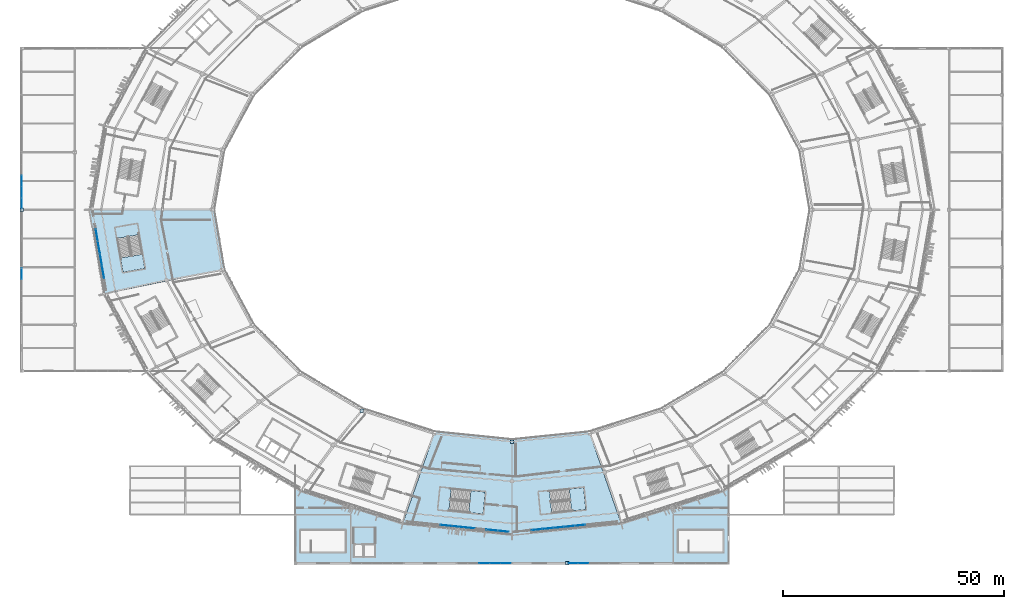
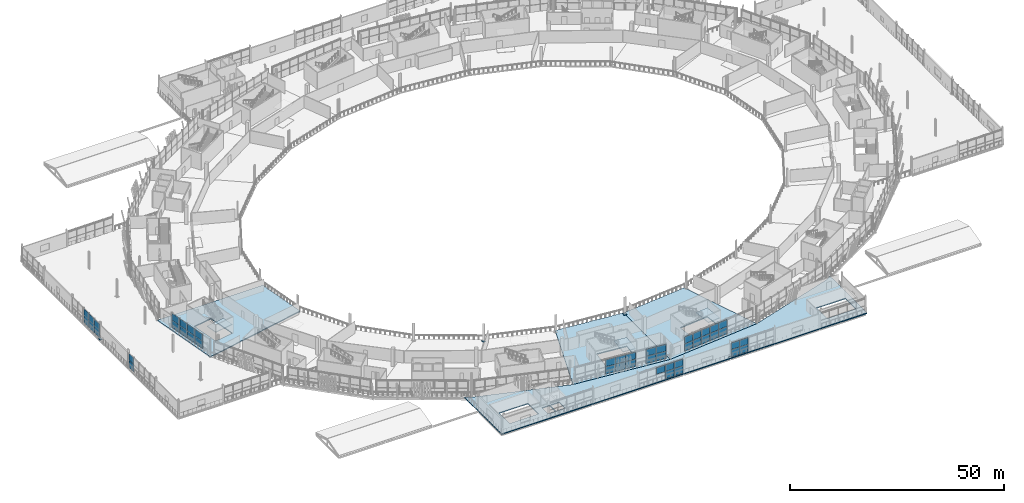
# One storey, part 93 of 179: 49 plates, 7 slabs, 10 elements without a shape of their own.
"""IFC4 building model written with IfcOpenShell, lengths in metres."""

from ifc_helpers import new_model, si_unit, direction, frame, origin, origin_2d, place, context, subcontext, project, spatial, polyline, rectangle, outline, extrude, material, layer, layer_set, type_object, element, aggregate, save


model = new_model("IFC4")

# Units and contexts
model_context = context("Model", 3, precision=1e-05, world=origin(), true_north=direction((0.0, 1.0)))
body_context = subcontext(model_context, "Body", "Model", "MODEL_VIEW")
ifc_project = project(units=[si_unit("LENGTHUNIT", "METRE"), si_unit("AREAUNIT", "SQUARE_METRE"), si_unit("VOLUMEUNIT", "CUBIC_METRE"), si_unit("PLANEANGLEUNIT", "RADIAN"), si_unit("MASSUNIT", "GRAM", prefix="KILO")], contexts=[model_context])

# Site, building, storey
site_placement = place(None, origin())
site = spatial("IfcSite", under=ifc_project, at=site_placement, CompositionType="ELEMENT")
building_placement = place(site_placement, origin())
building = spatial("IfcBuilding", under=site, at=building_placement, Name="Zlatoyarsky Gate Stadium", CompositionType="ELEMENT")
storey_placement = place(building_placement, frame((0.0, 0.0, 10.60009765625)))
storey = spatial("IfcBuildingStorey", under=building, at=storey_placement, Name="L02", CompositionType="ELEMENT", Elevation=10.60009765625)

# Curtain wall, plates
ifc_material_1 = material(Name="Thermally broken anodised aluminium curtain wall", Category="aluminium")
curtain_wall_type_1 = type_object("IfcCurtainWallType", Name="MONUMENTAL ARCHED GATE GLAZING UPPER", PredefinedType="USERDEFINED", material=ifc_material_1)
curtain_wall_1_placement = place(storey_placement, origin())
curtain_wall_1 = element("IfcCurtainWall", 1, at=curtain_wall_1_placement, inside=storey, type_object=curtain_wall_type_1, Name="Curtain wall CW-L02-12", ObjectType="ARCHED GATE GLAZING", PredefinedType="USERDEFINED")
ifc_material_2 = material(Name="Triple-glazed argon low-e architectural glass", Category="glass")
ifc_layer_1 = layer(ifc_material_2, 0.0458984375)
ifc_layer_set_1 = layer_set([ifc_layer_1], Name="Triple-glazed argon low-e architectural glass")
plate_type_1 = type_object("IfcPlateType", Name="ACOUSTIC LAMINATED GATE GLAZING PANEL 46", PredefinedType="CURTAIN_PANEL", material=ifc_layer_set_1)
plate_1_placement = place(storey_placement, frame((17.016357421875, 74.209228515625, 0.074951171875), z_axis=(0.0, 0.0, 1.0), x_axis=(0.168878353177, -0.985636901617, 0.0)))
plate_1 = element("IfcPlate", 2, at=plate_1_placement, type_object=plate_type_1, Name="CW-AG2 panel 1.1", PredefinedType="CURTAIN_PANEL", context=body_context, shape_type="SweptSolid", body=[
    extrude(rectangle(XDim=2.699951171875, YDim=0.0458984375, at=origin_2d()), origin(), (0.0, 0.0, 1.0), 2.03759765625),
])
plate_2_placement = place(storey_placement, frame((17.016357421875, 74.209228515625, 2.1875), z_axis=(0.0, 0.0, 1.0), x_axis=(0.168878353177, -0.985636901617, 0.0)))
plate_2 = element("IfcPlate", 3, at=plate_2_placement, type_object=plate_type_1, Name="CW-AG2 panel 1.2", PredefinedType="CURTAIN_PANEL", context=body_context, shape_type="SweptSolid", body=[
    extrude(rectangle(XDim=2.699951171875, YDim=0.0458984375, at=origin_2d()), origin(), (0.0, 0.0, 1.0), 1.9375),
])
plate_3_placement = place(storey_placement, frame((17.488037109375, 71.45556640625, 0.074951171875), z_axis=(0.0, 0.0, 1.0), x_axis=(0.168878353177, -0.985636901617, 0.0)))
plate_3 = element("IfcPlate", 4, at=plate_3_placement, type_object=plate_type_1, Name="CW-AG2 panel 2.1", PredefinedType="CURTAIN_PANEL", context=body_context, shape_type="SweptSolid", body=[
    extrude(rectangle(XDim=2.737548828125, YDim=0.0458984375, at=origin_2d()), origin(), (0.0, 0.0, 1.0), 2.03759765625),
])
plate_4_placement = place(storey_placement, frame((17.488037109375, 71.45556640625, 2.1875), z_axis=(0.0, 0.0, 1.0), x_axis=(0.168878353177, -0.985636901617, 0.0)))
plate_4 = element("IfcPlate", 5, at=plate_4_placement, type_object=plate_type_1, Name="CW-AG2 panel 2.2", PredefinedType="CURTAIN_PANEL", context=body_context, shape_type="SweptSolid", body=[
    extrude(rectangle(XDim=2.737548828125, YDim=0.0458984375, at=origin_2d()), origin(), (0.0, 0.0, 1.0), 1.9375),
])
plate_5_placement = place(storey_placement, frame((17.963134765625, 68.68359375, 0.074951171875), z_axis=(0.0, 0.0, 1.0), x_axis=(0.168878353177, -0.985636901617, 0.0)))
plate_5 = element("IfcPlate", 6, at=plate_5_placement, type_object=plate_type_1, Name="CW-AG2 panel 3.1", PredefinedType="CURTAIN_PANEL", context=body_context, shape_type="SweptSolid", body=[
    extrude(rectangle(XDim=2.737548828125, YDim=0.0458984375, at=origin_2d()), origin(), (0.0, 0.0, 1.0), 2.03759765625),
])
plate_6_placement = place(storey_placement, frame((17.963134765625, 68.68359375, 2.1875), z_axis=(0.0, 0.0, 1.0), x_axis=(0.168878353177, -0.985636901617, 0.0)))
plate_6 = element("IfcPlate", 7, at=plate_6_placement, type_object=plate_type_1, Name="CW-AG2 panel 3.2", PredefinedType="CURTAIN_PANEL", context=body_context, shape_type="SweptSolid", body=[
    extrude(rectangle(XDim=2.737548828125, YDim=0.0458984375, at=origin_2d()), origin(), (0.0, 0.0, 1.0), 1.9375),
])
plate_7_placement = place(storey_placement, frame((18.43798828125, 65.911376953125, 0.074951171875), z_axis=(0.0, 0.0, 1.0), x_axis=(0.168878353177, -0.985636901617, 0.0)))
plate_7 = element("IfcPlate", 8, at=plate_7_placement, type_object=plate_type_1, Name="CW-AG2 panel 4.1", PredefinedType="CURTAIN_PANEL", context=body_context, shape_type="SweptSolid", body=[
    extrude(rectangle(XDim=2.737548828125, YDim=0.0458984375, at=origin_2d()), origin(), (0.0, 0.0, 1.0), 2.03759765625),
])
plate_8_placement = place(storey_placement, frame((18.43798828125, 65.911376953125, 2.1875), z_axis=(0.0, 0.0, 1.0), x_axis=(0.168878353177, -0.985636901617, 0.0)))
plate_8 = element("IfcPlate", 9, at=plate_8_placement, type_object=plate_type_1, Name="CW-AG2 panel 4.2", PredefinedType="CURTAIN_PANEL", context=body_context, shape_type="SweptSolid", body=[
    extrude(rectangle(XDim=2.737548828125, YDim=0.0458984375, at=origin_2d()), origin(), (0.0, 0.0, 1.0), 1.9375),
])
aggregate(curtain_wall_1, [plate_1, plate_2, plate_3, plate_4, plate_5, plate_6, plate_7, plate_8])

curtain_wall_2_placement = place(storey_placement, origin())
curtain_wall_2 = element("IfcCurtainWall", 10, at=curtain_wall_2_placement, inside=storey, type_object=curtain_wall_type_1, Name="Curtain wall CW-L02-18", ObjectType="ARCHED GATE GLAZING", PredefinedType="USERDEFINED")
plate_9_placement = place(storey_placement, frame((116.665283203125, 7.59716796875, 0.074951171875), z_axis=(0.0, 0.0, 1.0), x_axis=(0.994922667712, 0.100642363208, 0.0)))
plate_9 = element("IfcPlate", 11, at=plate_9_placement, type_object=plate_type_1, Name="CW-AG2 panel 1.1", PredefinedType="CURTAIN_PANEL", context=body_context, shape_type="SweptSolid", body=[
    extrude(rectangle(XDim=2.33837890625, YDim=0.0458984375, at=origin_2d()), origin(), (0.0, 0.0, 1.0), 2.03759765625),
])
plate_10_placement = place(storey_placement, frame((116.665283203125, 7.59716796875, 2.1875), z_axis=(0.0, 0.0, 1.0), x_axis=(0.994922667712, 0.100642363208, 0.0)))
plate_10 = element("IfcPlate", 12, at=plate_10_placement, type_object=plate_type_1, Name="CW-AG2 panel 1.2", PredefinedType="CURTAIN_PANEL", context=body_context, shape_type="SweptSolid", body=[
    extrude(rectangle(XDim=2.33837890625, YDim=0.0458984375, at=origin_2d()), origin(), (0.0, 0.0, 1.0), 1.9375),
])
plate_11_placement = place(storey_placement, frame((119.0849609375, 7.842041015625, 0.074951171875), z_axis=(0.0, 0.0, 1.0), x_axis=(0.994922667712, 0.100642363208, 0.0)))
plate_11 = element("IfcPlate", 13, at=plate_11_placement, type_object=plate_type_1, Name="CW-AG2 panel 2.1", PredefinedType="CURTAIN_PANEL", context=body_context, shape_type="SweptSolid", body=[
    extrude(rectangle(XDim=2.3759765625, YDim=0.0458984375, at=origin_2d()), origin(), (0.0, 0.0, 1.0), 2.03759765625),
])
plate_12_placement = place(storey_placement, frame((119.0849609375, 7.842041015625, 2.1875), z_axis=(0.0, 0.0, 1.0), x_axis=(0.994922667712, 0.100642363208, 0.0)))
plate_12 = element("IfcPlate", 14, at=plate_12_placement, type_object=plate_type_1, Name="CW-AG2 panel 2.2", PredefinedType="CURTAIN_PANEL", context=body_context, shape_type="SweptSolid", body=[
    extrude(rectangle(XDim=2.3759765625, YDim=0.0458984375, at=origin_2d()), origin(), (0.0, 0.0, 1.0), 1.9375),
])
plate_13_placement = place(storey_placement, frame((121.5234375, 8.088623046875, 0.074951171875), z_axis=(0.0, 0.0, 1.0), x_axis=(0.994922667712, 0.100642363208, 0.0)))
plate_13 = element("IfcPlate", 15, at=plate_13_placement, type_object=plate_type_1, Name="CW-AG2 panel 3.1", PredefinedType="CURTAIN_PANEL", context=body_context, shape_type="SweptSolid", body=[
    extrude(rectangle(XDim=2.3759765625, YDim=0.0458984375, at=origin_2d()), origin(), (0.0, 0.0, 1.0), 2.03759765625),
])
plate_14_placement = place(storey_placement, frame((121.5234375, 8.088623046875, 2.1875), z_axis=(0.0, 0.0, 1.0), x_axis=(0.994922667712, 0.100642363208, 0.0)))
plate_14 = element("IfcPlate", 16, at=plate_14_placement, type_object=plate_type_1, Name="CW-AG2 panel 3.2", PredefinedType="CURTAIN_PANEL", context=body_context, shape_type="SweptSolid", body=[
    extrude(rectangle(XDim=2.3759765625, YDim=0.0458984375, at=origin_2d()), origin(), (0.0, 0.0, 1.0), 1.9375),
])
plate_15_placement = place(storey_placement, frame((123.9619140625, 8.335205078125, 0.074951171875), z_axis=(0.0, 0.0, 1.0), x_axis=(0.994922667712, 0.100642363208, 0.0)))
plate_15 = element("IfcPlate", 17, at=plate_15_placement, type_object=plate_type_1, Name="CW-AG2 panel 4.1", PredefinedType="CURTAIN_PANEL", context=body_context, shape_type="SweptSolid", body=[
    extrude(rectangle(XDim=2.3759765625, YDim=0.0458984375, at=origin_2d()), origin(), (0.0, 0.0, 1.0), 2.03759765625),
])
plate_16_placement = place(storey_placement, frame((123.9619140625, 8.335205078125, 2.1875), z_axis=(0.0, 0.0, 1.0), x_axis=(0.994922667712, 0.100642363208, 0.0)))
plate_16 = element("IfcPlate", 18, at=plate_16_placement, type_object=plate_type_1, Name="CW-AG2 panel 4.2", PredefinedType="CURTAIN_PANEL", context=body_context, shape_type="SweptSolid", body=[
    extrude(rectangle(XDim=2.3759765625, YDim=0.0458984375, at=origin_2d()), origin(), (0.0, 0.0, 1.0), 1.9375),
])
plate_17_placement = place(storey_placement, frame((126.400390625, 8.58203125, 0.074951171875), z_axis=(0.0, 0.0, 1.0), x_axis=(0.994922667712, 0.100642363208, 0.0)))
plate_17 = element("IfcPlate", 19, at=plate_17_placement, type_object=plate_type_1, Name="CW-AG2 panel 5.1", PredefinedType="CURTAIN_PANEL", context=body_context, shape_type="SweptSolid", body=[
    extrude(rectangle(XDim=2.3759765625, YDim=0.0458984375, at=origin_2d()), origin(), (0.0, 0.0, 1.0), 2.03759765625),
])
plate_18_placement = place(storey_placement, frame((126.400390625, 8.58203125, 2.1875), z_axis=(0.0, 0.0, 1.0), x_axis=(0.994922667712, 0.100642363208, 0.0)))
plate_18 = element("IfcPlate", 20, at=plate_18_placement, type_object=plate_type_1, Name="CW-AG2 panel 5.2", PredefinedType="CURTAIN_PANEL", context=body_context, shape_type="SweptSolid", body=[
    extrude(rectangle(XDim=2.3759765625, YDim=0.0458984375, at=origin_2d()), origin(), (0.0, 0.0, 1.0), 1.9375),
])
aggregate(curtain_wall_2, [plate_9, plate_10, plate_11, plate_12, plate_13, plate_14, plate_15, plate_16, plate_17, plate_18])

# Slabs
ifc_material_3 = material(Name="Concrete C40/50", Category="concrete")
ifc_layer_2 = layer(ifc_material_3, 0.280029296875)
ifc_layer_set_2 = layer_set([ifc_layer_2], Name="Concrete C40/50")
slab_type_1 = type_object("IfcSlabType", Name="CONCRETE HOSPITALITY SLAB 280", PredefinedType="FLOOR", material=ifc_layer_set_2)
slab_1_placement = place(storey_placement, frame((0.0, 0.0, -0.280029296875)))
element("IfcSlab", 21, at=slab_1_placement, inside=storey, type_object=slab_type_1, Name="L02 bowl sector 12 slab", PredefinedType="FLOOR", context=body_context, shape_type="SweptSolid", body=[
    extrude(outline(polyline([(46.08984375, 66.59326171875), (18.584228515625, 60.931396484375), (15.32421875, 80.0), (43.800048828125, 80.0), (46.08984375, 66.59326171875)]), holes=[polyline([(26.552001953125, 74.364501953125), (21.62451171875, 73.514892578125), (22.941650390625, 65.877685546875), (27.868896484375, 66.727294921875), (26.552001953125, 74.364501953125)])]), origin(), (0.0, 0.0, 1.0), 0.280029296875),
])
slab_2_placement = place(storey_placement, frame((0.0, 0.0, -0.280029296875)))
element("IfcSlab", 22, at=slab_2_placement, inside=storey, type_object=slab_type_1, Name="L02 bowl sector 17 slab", PredefinedType="FLOOR", context=body_context, shape_type="SweptSolid", body=[
    extrude(outline(polyline([(111.0, 28.199951171875), (111.0, 6.32421875), (86.2373046875, 8.83447265625), (93.607421875, 29.965087890625), (111.0, 28.199951171875)]), holes=[polyline([(96.73046875, 11.9091796875), (104.441650390625, 11.134033203125), (104.941650390625, 16.109130859375), (97.23046875, 16.884033203125), (96.73046875, 11.9091796875)])]), origin(), (0.0, 0.0, 1.0), 0.280029296875),
])
slab_3_placement = place(storey_placement, frame((0.0, 0.0, -0.280029296875)))
element("IfcSlab", 23, at=slab_3_placement, inside=storey, type_object=slab_type_1, Name="L02 bowl sector 18 slab", PredefinedType="FLOOR", context=body_context, shape_type="SweptSolid", body=[
    extrude(outline(polyline([(128.392578125, 29.965087890625), (135.7626953125, 8.83447265625), (111.0, 6.32421875), (111.0, 28.199951171875), (128.392578125, 29.965087890625)]), holes=[polyline([(119.99609375, 11.379150390625), (127.707275390625, 12.154296875), (127.207275390625, 17.129150390625), (119.49609375, 16.35400390625), (119.99609375, 11.379150390625)])]), origin(), (0.0, 0.0, 1.0), 0.280029296875),
])
slab_4_placement = place(storey_placement, frame((0.0, 0.0, -0.280029296875)))
element("IfcSlab", 24, at=slab_4_placement, inside=storey, type_object=slab_type_1, Name="L02 wing V3_SOUTH slab", PredefinedType="FLOOR", context=body_context, shape_type="SweptSolid", body=[
    extrude(outline(polyline([(61.760009765625, 17.023193359375), (63.162109375, 16.19482421875), (86.2373046875, 8.83447265625), (111.0, 6.32421875), (135.7626953125, 8.83447265625), (158.837890625, 16.19482421875), (160.239990234375, 17.023193359375), (160.239990234375, -0.239990234375), (61.760009765625, -0.239990234375), (61.760009765625, 17.023193359375)]), holes=[polyline([(77.25, 1.449951171875), (77.25, 4.25), (75.25, 4.25), (75.25, 1.449951171875), (77.25, 1.449951171875)]), polyline([(79.89990234375, 1.449951171875), (79.89990234375, 4.25), (77.5, 4.25), (77.5, 1.449951171875), (79.89990234375, 1.449951171875)]), polyline([(73.300048828125, 2.5), (73.300048828125, 7.5), (65.550048828125, 7.5), (65.550048828125, 2.5), (73.300048828125, 2.5)]), polyline([(158.800048828125, 2.5), (158.800048828125, 7.5), (151.050048828125, 7.5), (151.050048828125, 2.5), (158.800048828125, 2.5)])]), origin(), (0.0, 0.0, 1.0), 0.280029296875),
])

# Stair, slab
stair_type = type_object("IfcStairType", Name="CONCRETE DOGLEG EXIT STAIR H5000", PredefinedType="TWO_STRAIGHT_RUN_STAIR", material=ifc_material_3)
stair_1_placement = place(storey_placement, origin())
stair_1 = element("IfcStair", 25, at=stair_1_placement, inside=storey, type_object=stair_type, Name="L02 Exit Stair ST-07", PredefinedType="TWO_STRAIGHT_RUN_STAIR")
ifc_layer_3 = layer(ifc_material_3, 0.199951171875)
ifc_layer_set_3 = layer_set([ifc_layer_3], Name="Concrete C40/50")
slab_type_2 = type_object("IfcSlabType", Name="CONCRETE STAIR LANDING SLAB 200", PredefinedType="LANDING", material=ifc_layer_set_3)
slab_5_placement = place(storey_placement, frame((0.0, 0.0, 2.2998046875)))
slab_5 = element("IfcSlab", 26, at=slab_5_placement, type_object=slab_type_2, Name="ST-DG50 landing 1", PredefinedType="LANDING", context=body_context, shape_type="SweptSolid", body=[
    extrude(outline(polyline([(22.389404296875, 69.080322265625), (22.941650390625, 65.87744140625), (27.868896484375, 66.727294921875), (27.316650390625, 69.929931640625), (22.389404296875, 69.080322265625)])), origin(), (0.0, 0.0, 1.0), 0.2001953125),
])
aggregate(stair_1, [slab_5])

stair_2_placement = place(storey_placement, origin())
stair_2 = element("IfcStair", 27, at=stair_2_placement, inside=storey, type_object=stair_type, Name="L02 Exit Stair ST-10", PredefinedType="TWO_STRAIGHT_RUN_STAIR")
slab_6_placement = place(storey_placement, frame((0.0, 0.0, 2.2998046875)))
slab_6 = element("IfcSlab", 28, at=slab_6_placement, type_object=slab_type_2, Name="ST-DG50 landing 1", PredefinedType="LANDING", context=body_context, shape_type="SweptSolid", body=[
    extrude(outline(polyline([(124.4736328125, 11.829345703125), (127.707275390625, 12.154296875), (127.207275390625, 17.129150390625), (123.9736328125, 16.80419921875), (124.4736328125, 11.829345703125)])), origin(), (0.0, 0.0, 1.0), 0.2001953125),
])
aggregate(stair_2, [slab_6])

stair_3_placement = place(storey_placement, origin())
stair_3 = element("IfcStair", 29, at=stair_3_placement, inside=storey, type_object=stair_type, Name="L02 Exit Stair ST-19", PredefinedType="TWO_STRAIGHT_RUN_STAIR")
slab_7_placement = place(storey_placement, frame((0.0, 0.0, 2.2998046875)))
slab_7 = element("IfcSlab", 30, at=slab_7_placement, type_object=slab_type_2, Name="ST-DG50 landing 1", PredefinedType="LANDING", context=body_context, shape_type="SweptSolid", body=[
    extrude(outline(polyline([(101.207763671875, 11.459228515625), (104.441650390625, 11.134033203125), (104.941650390625, 16.109130859375), (101.7080078125, 16.43408203125), (101.207763671875, 11.459228515625)])), origin(), (0.0, 0.0, 1.0), 0.2001953125),
])
aggregate(stair_3, [slab_7])

# Curtain wall, plates
curtain_wall_type_2 = type_object("IfcCurtainWallType", Name="WINTER GARDEN CONSERVATORY GLAZING", PredefinedType="USERDEFINED", material=ifc_material_1)
curtain_wall_3_placement = place(storey_placement, origin())
curtain_wall_3 = element("IfcCurtainWall", 31, at=curtain_wall_3_placement, inside=storey, type_object=curtain_wall_type_2, Name="Curtain wall CW-V4_WEST-L02-168", ObjectType="UNITISED GLAZING", PredefinedType="USERDEFINED")
ifc_material_4 = material(Name="Anodised aluminium spandrel panel", Category="aluminium")
ifc_layer_4 = layer(ifc_material_4, 0.05810546875)
ifc_layer_set_4 = layer_set([ifc_layer_4], Name="Anodised aluminium spandrel panel")
plate_type_2 = type_object("IfcPlateType", Name="INSULATED ALUMINIUM SPANDREL PANEL 58", PredefinedType="CURTAIN_PANEL", material=ifc_layer_set_4)
plate_19_placement = place(storey_placement, frame((0.0, 65.51416015625, 0.06494140625), z_axis=(0.0, 0.0, 1.0), x_axis=(0.0, 1.0, 0.0)))
plate_19 = element("IfcPlate", 32, at=plate_19_placement, type_object=plate_type_2, Name="CW-WG1 panel 5.1", PredefinedType="CURTAIN_PANEL", context=body_context, shape_type="SweptSolid", body=[
    extrude(rectangle(XDim=2.417724609375, YDim=0.05810546875, at=origin_2d()), origin(), (0.0, 0.0, 1.0), 2.052490234375),
])
plate_20_placement = place(storey_placement, frame((0.0, 65.51416015625, 2.182373046875), z_axis=(0.0, 0.0, 1.0), x_axis=(0.0, 1.0, 0.0)))
plate_20 = element("IfcPlate", 33, at=plate_20_placement, type_object=plate_type_2, Name="CW-WG1 panel 5.2", PredefinedType="CURTAIN_PANEL", context=body_context, shape_type="SweptSolid", body=[
    extrude(rectangle(XDim=2.417724609375, YDim=0.05810546875, at=origin_2d()), origin(), (0.0, 0.0, 1.0), 1.8525390625),
])
aggregate(curtain_wall_3, [plate_19, plate_20])

# Plates
ifc_material_5 = material(Name="Steel S355", Category="steel")
ifc_layer_5 = layer(ifc_material_5, 0.0400390625)
ifc_layer_set_5 = layer_set([ifc_layer_5], Name="Steel S355")
plate_type_3 = type_object("IfcPlateType", Name="STEEL COLUMN BASE PLATE 40", PredefinedType="USERDEFINED", material=ifc_layer_set_5)
for number, where, z_axis, x_axis, name in (
    (34, (77.0, 34.53369140625, 0.0), (0.0, 0.0, 1.0), (1.0, 0.0, 0.0), "Column base plate BP-01 at RA-16 L02"),
    (35, (111.0, 27.5, 0.0), (0.0, 0.0, 1.0), (1.0, 0.0, 0.0), "Column base plate BP-01 at RA-18 L02"),
    (36, (0.0, 80.0, 0.0), (0.0, 0.0, 1.0), (1.0, 0.0, 0.0), "Column base plate BP-01 at WG-1-H L02"),
    (37, (123.5, 0.0, 0.0), (0.0, 0.0, 1.0), (1.0, 0.0, 0.0), "Column base plate BP-01 at WG-11-A L02"),
):
    element("IfcPlate", number, at=place(storey_placement, frame(where, z_axis=z_axis, x_axis=x_axis)), inside=storey, type_object=plate_type_3, Name=name, ObjectType="BASE PLATE", PredefinedType="USERDEFINED", context=body_context, shape_type="SweptSolid", body=[
        extrude(rectangle(XDim=0.75, YDim=0.75, at=origin_2d()), origin(), (0.0, 0.0, 1.0), 0.0400390625),
    ])

# Curtain wall, plates
curtain_wall_type_3 = type_object("IfcCurtainWallType", Name="UNITISED HOSPITALITY GLAZING L02", PredefinedType="USERDEFINED", material=ifc_material_1)
curtain_wall_4_placement = place(storey_placement, origin())
curtain_wall_4 = element("IfcCurtainWall", 38, at=curtain_wall_4_placement, inside=storey, type_object=curtain_wall_type_3, Name="Curtain wall CW-L02-17", ObjectType="UNITISED GLAZING", PredefinedType="USERDEFINED")
ifc_layer_6 = layer(ifc_material_2, 0.0380859375)
ifc_layer_set_6 = layer_set([ifc_layer_6], Name="Triple-glazed argon low-e architectural glass")
plate_type_4 = type_object("IfcPlateType", Name="TRIPLE GLAZED LOW E CURTAIN PANEL 38", PredefinedType="CURTAIN_PANEL", material=ifc_layer_set_6)
plate_21_placement = place(storey_placement, frame((96.12158203125, 8.529052734375, 0.06494140625), z_axis=(0.0, 0.0, 1.0), x_axis=(0.994922412577, -0.100644885375, 0.0)))
plate_21 = element("IfcPlate", 39, at=plate_21_placement, type_object=plate_type_4, Name="CW-UG2 panel 4.1", PredefinedType="CURTAIN_PANEL", context=body_context, shape_type="SweptSolid", body=[
    extrude(rectangle(XDim=2.535888671875, YDim=0.0380859375, at=origin_2d()), origin(), (0.0, 0.0, 1.0), 2.052490234375),
])
plate_22_placement = place(storey_placement, frame((96.12158203125, 8.529052734375, 2.1826171875), z_axis=(0.0, 0.0, 1.0), x_axis=(0.994922412577, -0.100644885375, 0.0)))
plate_22 = element("IfcPlate", 40, at=plate_22_placement, type_object=plate_type_4, Name="CW-UG2 panel 4.2", PredefinedType="CURTAIN_PANEL", context=body_context, shape_type="SweptSolid", body=[
    extrude(rectangle(XDim=2.535888671875, YDim=0.0380859375, at=origin_2d()), origin(), (0.0, 0.0, 1.0), 1.952392578125),
])
plate_23_placement = place(storey_placement, frame((98.709228515625, 8.267333984375, 0.06494140625), z_axis=(0.0, 0.0, 1.0), x_axis=(0.994922412577, -0.100644885375, 0.0)))
plate_23 = element("IfcPlate", 41, at=plate_23_placement, type_object=plate_type_4, Name="CW-UG2 panel 5.1", PredefinedType="CURTAIN_PANEL", context=body_context, shape_type="SweptSolid", body=[
    extrude(rectangle(XDim=2.535888671875, YDim=0.0380859375, at=origin_2d()), origin(), (0.0, 0.0, 1.0), 2.052490234375),
])
plate_24_placement = place(storey_placement, frame((98.709228515625, 8.267333984375, 2.1826171875), z_axis=(0.0, 0.0, 1.0), x_axis=(0.994922412577, -0.100644885375, 0.0)))
plate_24 = element("IfcPlate", 42, at=plate_24_placement, type_object=plate_type_4, Name="CW-UG2 panel 5.2", PredefinedType="CURTAIN_PANEL", context=body_context, shape_type="SweptSolid", body=[
    extrude(rectangle(XDim=2.535888671875, YDim=0.0380859375, at=origin_2d()), origin(), (0.0, 0.0, 1.0), 1.952392578125),
])
plate_25_placement = place(storey_placement, frame((101.296875, 8.005615234375, 0.06494140625), z_axis=(0.0, 0.0, 1.0), x_axis=(0.994922412577, -0.100644885375, 0.0)))
plate_25 = element("IfcPlate", 43, at=plate_25_placement, type_object=plate_type_4, Name="CW-UG2 panel 6.1", PredefinedType="CURTAIN_PANEL", context=body_context, shape_type="SweptSolid", body=[
    extrude(rectangle(XDim=2.535888671875, YDim=0.0380859375, at=origin_2d()), origin(), (0.0, 0.0, 1.0), 2.052490234375),
])
plate_26_placement = place(storey_placement, frame((101.296875, 8.005615234375, 2.1826171875), z_axis=(0.0, 0.0, 1.0), x_axis=(0.994922412577, -0.100644885375, 0.0)))
plate_26 = element("IfcPlate", 44, at=plate_26_placement, type_object=plate_type_4, Name="CW-UG2 panel 6.2", PredefinedType="CURTAIN_PANEL", context=body_context, shape_type="SweptSolid", body=[
    extrude(rectangle(XDim=2.535888671875, YDim=0.0380859375, at=origin_2d()), origin(), (0.0, 0.0, 1.0), 1.952392578125),
])
plate_27_placement = place(storey_placement, frame((106.471923828125, 7.482177734375, 0.06494140625), z_axis=(0.0, 0.0, 1.0), x_axis=(0.994922412577, -0.100644885375, 0.0)))
plate_27 = element("IfcPlate", 45, at=plate_27_placement, type_object=plate_type_4, Name="CW-UG2 panel 8.1", PredefinedType="CURTAIN_PANEL", context=body_context, shape_type="SweptSolid", body=[
    extrude(rectangle(XDim=2.535888671875, YDim=0.0380859375, at=origin_2d()), origin(), (0.0, 0.0, 1.0), 2.052490234375),
])
plate_28_placement = place(storey_placement, frame((106.471923828125, 7.482177734375, 2.1826171875), z_axis=(0.0, 0.0, 1.0), x_axis=(0.994922412577, -0.100644885375, 0.0)))
plate_28 = element("IfcPlate", 46, at=plate_28_placement, type_object=plate_type_4, Name="CW-UG2 panel 8.2", PredefinedType="CURTAIN_PANEL", context=body_context, shape_type="SweptSolid", body=[
    extrude(rectangle(XDim=2.535888671875, YDim=0.0380859375, at=origin_2d()), origin(), (0.0, 0.0, 1.0), 1.952392578125),
])
plate_29_placement = place(storey_placement, frame((109.04345703125, 7.221923828125, 0.06494140625), z_axis=(0.0, 0.0, 1.0), x_axis=(0.994922412577, -0.100644885375, 0.0)))
plate_29 = element("IfcPlate", 47, at=plate_29_placement, type_object=plate_type_4, Name="CW-UG2 panel 9.1", PredefinedType="CURTAIN_PANEL", context=body_context, shape_type="SweptSolid", body=[
    extrude(rectangle(XDim=2.503173828125, YDim=0.0380859375, at=origin_2d()), origin(), (0.0, 0.0, 1.0), 2.052490234375),
])
plate_30_placement = place(storey_placement, frame((109.04345703125, 7.221923828125, 2.1826171875), z_axis=(0.0, 0.0, 1.0), x_axis=(0.994922412577, -0.100644885375, 0.0)))
plate_30 = element("IfcPlate", 48, at=plate_30_placement, type_object=plate_type_4, Name="CW-UG2 panel 9.2", PredefinedType="CURTAIN_PANEL", context=body_context, shape_type="SweptSolid", body=[
    extrude(rectangle(XDim=2.503173828125, YDim=0.0380859375, at=origin_2d()), origin(), (0.0, 0.0, 1.0), 1.952392578125),
])
aggregate(curtain_wall_4, [plate_21, plate_22, plate_23, plate_24, plate_25, plate_26, plate_27, plate_28, plate_29, plate_30])

curtain_wall_5_placement = place(storey_placement, origin())
curtain_wall_5 = element("IfcCurtainWall", 49, at=curtain_wall_5_placement, inside=storey, type_object=curtain_wall_type_2, Name="Curtain wall CW-V3_SOUTH-L02-162", ObjectType="UNITISED GLAZING", PredefinedType="USERDEFINED")
plate_31_placement = place(storey_placement, frame((104.75, 0.0, 2.182373046875), z_axis=(0.0, 0.0, 1.0), x_axis=(1.0, 0.0, 0.0)))
plate_31 = element("IfcPlate", 50, at=plate_31_placement, type_object=plate_type_4, Name="CW-WG1 panel 3.2", PredefinedType="CURTAIN_PANEL", context=body_context, shape_type="SweptSolid", body=[
    extrude(rectangle(XDim=2.3701171875, YDim=0.0380859375, at=origin_2d()), origin(), (0.0, 0.0, 1.0), 1.8525390625),
])
plate_32_placement = place(storey_placement, frame((107.185302734375, 0.0, 0.06494140625), z_axis=(0.0, 0.0, 1.0), x_axis=(1.0, 0.0, 0.0)))
plate_32 = element("IfcPlate", 51, at=plate_32_placement, type_object=plate_type_4, Name="CW-WG1 panel 4.1", PredefinedType="CURTAIN_PANEL", context=body_context, shape_type="SweptSolid", body=[
    extrude(rectangle(XDim=2.3701171875, YDim=0.0380859375, at=origin_2d()), origin(), (0.0, 0.0, 1.0), 2.052490234375),
])
plate_33_placement = place(storey_placement, frame((107.185302734375, 0.0, 2.182373046875), z_axis=(0.0, 0.0, 1.0), x_axis=(1.0, 0.0, 0.0)))
plate_33 = element("IfcPlate", 52, at=plate_33_placement, type_object=plate_type_4, Name="CW-WG1 panel 4.2", PredefinedType="CURTAIN_PANEL", context=body_context, shape_type="SweptSolid", body=[
    extrude(rectangle(XDim=2.3701171875, YDim=0.0380859375, at=origin_2d()), origin(), (0.0, 0.0, 1.0), 1.8525390625),
])
plate_34_placement = place(storey_placement, frame((109.604248046875, 0.0, 0.06494140625), z_axis=(0.0, 0.0, 1.0), x_axis=(1.0, 0.0, 0.0)))
plate_34 = element("IfcPlate", 53, at=plate_34_placement, type_object=plate_type_4, Name="CW-WG1 panel 5.1", PredefinedType="CURTAIN_PANEL", context=body_context, shape_type="SweptSolid", body=[
    extrude(rectangle(XDim=2.337646484375, YDim=0.0380859375, at=origin_2d()), origin(), (0.0, 0.0, 1.0), 2.052490234375),
])
plate_35_placement = place(storey_placement, frame((109.604248046875, 0.0, 2.182373046875), z_axis=(0.0, 0.0, 1.0), x_axis=(1.0, 0.0, 0.0)))
plate_35 = element("IfcPlate", 54, at=plate_35_placement, type_object=plate_type_4, Name="CW-WG1 panel 5.2", PredefinedType="CURTAIN_PANEL", context=body_context, shape_type="SweptSolid", body=[
    extrude(rectangle(XDim=2.337646484375, YDim=0.0380859375, at=origin_2d()), origin(), (0.0, 0.0, 1.0), 1.8525390625),
])
aggregate(curtain_wall_5, [plate_31, plate_32, plate_33, plate_34, plate_35])

curtain_wall_6_placement = place(storey_placement, origin())
curtain_wall_6 = element("IfcCurtainWall", 55, at=curtain_wall_6_placement, inside=storey, type_object=curtain_wall_type_2, Name="Curtain wall CW-V3_SOUTH-L02-163", ObjectType="UNITISED GLAZING", PredefinedType="USERDEFINED")
plate_36_placement = place(storey_placement, frame((124.845947265625, 0.0, 0.06494140625), z_axis=(0.0, 0.0, 1.0), x_axis=(1.0, 0.0, 0.0)))
plate_36 = element("IfcPlate", 56, at=plate_36_placement, type_object=plate_type_4, Name="CW-WG1 panel 1.1", PredefinedType="CURTAIN_PANEL", context=body_context, shape_type="SweptSolid", body=[
    extrude(rectangle(XDim=2.23779296875, YDim=0.0380859375, at=origin_2d()), origin(), (0.0, 0.0, 1.0), 2.052490234375),
])
plate_37_placement = place(storey_placement, frame((124.845947265625, 0.0, 2.182373046875), z_axis=(0.0, 0.0, 1.0), x_axis=(1.0, 0.0, 0.0)))
plate_37 = element("IfcPlate", 57, at=plate_37_placement, type_object=plate_type_4, Name="CW-WG1 panel 1.2", PredefinedType="CURTAIN_PANEL", context=body_context, shape_type="SweptSolid", body=[
    extrude(rectangle(XDim=2.23779296875, YDim=0.0380859375, at=origin_2d()), origin(), (0.0, 0.0, 1.0), 1.8525390625),
])
plate_38_placement = place(storey_placement, frame((127.164794921875, 0.0, 0.06494140625), z_axis=(0.0, 0.0, 1.0), x_axis=(1.0, 0.0, 0.0)))
plate_38 = element("IfcPlate", 58, at=plate_38_placement, type_object=plate_type_4, Name="CW-WG1 panel 2.1", PredefinedType="CURTAIN_PANEL", context=body_context, shape_type="SweptSolid", body=[
    extrude(rectangle(XDim=2.270263671875, YDim=0.0380859375, at=origin_2d()), origin(), (0.0, 0.0, 1.0), 2.052490234375),
])
plate_39_placement = place(storey_placement, frame((127.164794921875, 0.0, 2.182373046875), z_axis=(0.0, 0.0, 1.0), x_axis=(1.0, 0.0, 0.0)))
plate_39 = element("IfcPlate", 59, at=plate_39_placement, type_object=plate_type_4, Name="CW-WG1 panel 2.2", PredefinedType="CURTAIN_PANEL", context=body_context, shape_type="SweptSolid", body=[
    extrude(rectangle(XDim=2.270263671875, YDim=0.0380859375, at=origin_2d()), origin(), (0.0, 0.0, 1.0), 1.8525390625),
])
aggregate(curtain_wall_6, [plate_36, plate_37, plate_38, plate_39])

curtain_wall_7_placement = place(storey_placement, origin())
curtain_wall_7 = element("IfcCurtainWall", 60, at=curtain_wall_7_placement, inside=storey, type_object=curtain_wall_type_2, Name="Curtain wall CW-V4_WEST-L02-169", ObjectType="UNITISED GLAZING", PredefinedType="USERDEFINED")
plate_40_placement = place(storey_placement, frame((0.0, 81.48583984375, 0.06494140625), z_axis=(0.0, 0.0, 1.0), x_axis=(0.0, 1.0, 0.0)))
plate_40 = element("IfcPlate", 61, at=plate_40_placement, type_object=plate_type_4, Name="CW-WG1 panel 1.1", PredefinedType="CURTAIN_PANEL", context=body_context, shape_type="SweptSolid", body=[
    extrude(rectangle(XDim=2.417724609375, YDim=0.0380859375, at=origin_2d()), origin(), (0.0, 0.0, 1.0), 2.052490234375),
])
plate_41_placement = place(storey_placement, frame((0.0, 81.48583984375, 2.182373046875), z_axis=(0.0, 0.0, 1.0), x_axis=(0.0, 1.0, 0.0)))
plate_41 = element("IfcPlate", 62, at=plate_41_placement, type_object=plate_type_4, Name="CW-WG1 panel 1.2", PredefinedType="CURTAIN_PANEL", context=body_context, shape_type="SweptSolid", body=[
    extrude(rectangle(XDim=2.417724609375, YDim=0.0380859375, at=origin_2d()), origin(), (0.0, 0.0, 1.0), 1.8525390625),
])
plate_42_placement = place(storey_placement, frame((0.0, 83.98486328125, 0.06494140625), z_axis=(0.0, 0.0, 1.0), x_axis=(0.0, 1.0, 0.0)))
plate_42 = element("IfcPlate", 63, at=plate_42_placement, type_object=plate_type_4, Name="CW-WG1 panel 2.1", PredefinedType="CURTAIN_PANEL", context=body_context, shape_type="SweptSolid", body=[
    extrude(rectangle(XDim=2.4501953125, YDim=0.0380859375, at=origin_2d()), origin(), (0.0, 0.0, 1.0), 2.052490234375),
])
plate_43_placement = place(storey_placement, frame((0.0, 83.98486328125, 2.182373046875), z_axis=(0.0, 0.0, 1.0), x_axis=(0.0, 1.0, 0.0)))
plate_43 = element("IfcPlate", 64, at=plate_43_placement, type_object=plate_type_4, Name="CW-WG1 panel 2.2", PredefinedType="CURTAIN_PANEL", context=body_context, shape_type="SweptSolid", body=[
    extrude(rectangle(XDim=2.4501953125, YDim=0.0380859375, at=origin_2d()), origin(), (0.0, 0.0, 1.0), 1.8525390625),
])
plate_44_placement = place(storey_placement, frame((0.0, 86.5, 0.06494140625), z_axis=(0.0, 0.0, 1.0), x_axis=(0.0, 1.0, 0.0)))
plate_44 = element("IfcPlate", 65, at=plate_44_placement, type_object=plate_type_4, Name="CW-WG1 panel 3.1", PredefinedType="CURTAIN_PANEL", context=body_context, shape_type="SweptSolid", body=[
    extrude(rectangle(XDim=2.4501953125, YDim=0.0380859375, at=origin_2d()), origin(), (0.0, 0.0, 1.0), 2.052490234375),
])
plate_45_placement = place(storey_placement, frame((0.0, 86.5, 2.182373046875), z_axis=(0.0, 0.0, 1.0), x_axis=(0.0, 1.0, 0.0)))
plate_45 = element("IfcPlate", 66, at=plate_45_placement, type_object=plate_type_4, Name="CW-WG1 panel 3.2", PredefinedType="CURTAIN_PANEL", context=body_context, shape_type="SweptSolid", body=[
    extrude(rectangle(XDim=2.4501953125, YDim=0.0380859375, at=origin_2d()), origin(), (0.0, 0.0, 1.0), 1.8525390625),
])
aggregate(curtain_wall_7, [plate_40, plate_41, plate_42, plate_43, plate_44, plate_45])

save(model, "model.ifc")
